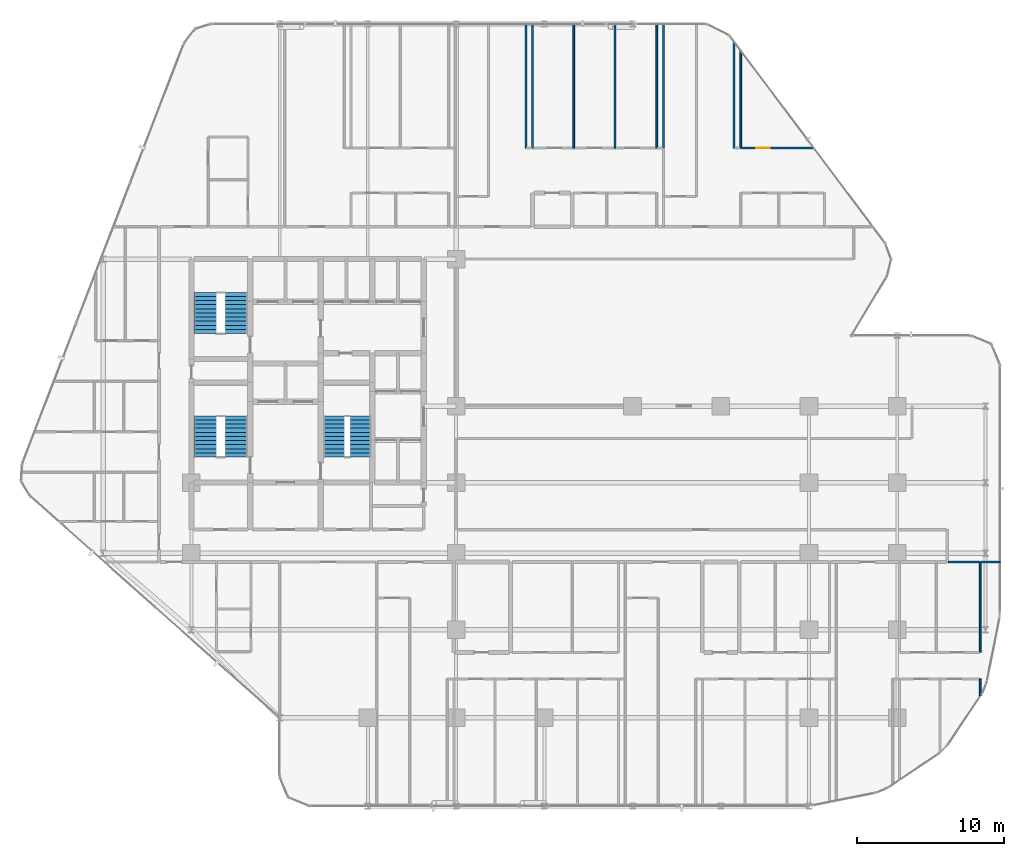
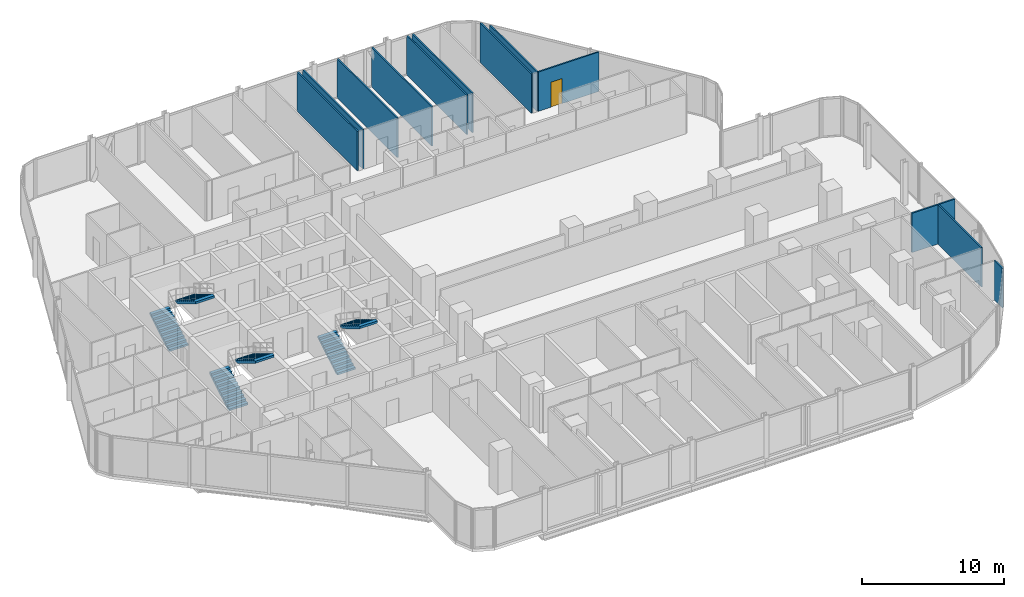
# One storey, part 32 of 34: 13 walls, 6 stair flights, 1 door, 1 opening, 3 elements without a shape of their own.
"""IFC4 building model written with IfcOpenShell, lengths in metres."""

from ifc_helpers import new_model, si_unit, direction, frame, frame_2d, origin, place, context, subcontext, project, spatial, polyline, rectangle, outline, extrude, material, layer, layer_set, type_object, element, fill, aggregate, save


model = new_model("IFC4")

# Units and contexts
model_context = context("Model", 3, precision=1e-05, world=origin(), true_north=direction((0.0, 1.0)))
body_context = subcontext(model_context, "Body", "Model", "MODEL_VIEW")
ifc_project = project(units=[si_unit("LENGTHUNIT", "METRE"), si_unit("AREAUNIT", "SQUARE_METRE"), si_unit("VOLUMEUNIT", "CUBIC_METRE"), si_unit("PLANEANGLEUNIT", "RADIAN"), si_unit("MASSUNIT", "GRAM", prefix="KILO")], contexts=[model_context])

# Site, building, storey
site_placement = place(None, origin())
site = spatial("IfcSite", under=ifc_project, at=site_placement, CompositionType="ELEMENT")
building_placement = place(site_placement, origin())
building = spatial("IfcBuilding", under=site, at=building_placement, Name="Keshet Zoharim Tower", CompositionType="ELEMENT")
storey_placement = place(building_placement, frame((0.0, 0.0, 53.60009765625)))
storey = spatial("IfcBuildingStorey", under=building, at=storey_placement, Name="L12", CompositionType="ELEMENT", Elevation=53.60009765625)

# Walls
ifc_material_1 = material(Name="Gypsum Plasterboard", Category="gypsum")
ifc_layer_1 = layer(ifc_material_1, 0.1201171875)
ifc_layer_set_1 = layer_set([ifc_layer_1], Name="Gypsum Plasterboard")
wall_type_1 = type_object("IfcWallType", Name="WL-PART-120", PredefinedType="PARTITIONING", material=ifc_layer_set_1)
for number, where, z_axis, x_axis, name in (
    (1, (37.75, 45.449951171875, 0.0), (0.0, 0.0, 1.0), (0.0, 1.0, 0.0), "L12 Interior Wall 080"),
    (2, (38.199951171875, 45.449951171875, 0.0), (0.0, 0.0, 1.0), (0.0, 1.0, 0.0), "L12 Interior Wall 082"),
    (3, (41.0, 45.449951171875, 0.0), (0.0, 0.0, 1.0), (0.0, 1.0, 0.0), "L12 Interior Wall 086"),
    (4, (43.800048828125, 45.449951171875, 0.0), (0.0, 0.0, 1.0), (0.0, 1.0, 0.0), "L12 Interior Wall 089"),
    (5, (46.64990234375, 45.449951171875, 0.0), (0.0, 0.0, 1.0), (0.0, 1.0, 0.0), "L12 Interior Wall 096"),
    (6, (47.10009765625, 45.449951171875, 0.0), (0.0, 0.0, 1.0), (0.0, 1.0, 0.0), "L12 Interior Wall 100"),
):
    element("IfcWall", number, at=place(storey_placement, frame(where, z_axis=z_axis, x_axis=x_axis)), inside=storey, type_object=wall_type_1, Name=name, PredefinedType="PARTITIONING", context=body_context, shape_type="SweptSolid", body=[
        extrude(rectangle(XDim=8.43994140625, YDim=0.1201171875, at=frame_2d((4.219970703125, 0.0))), origin(), (0.0, 0.0, 1.0), 3.385009765625),
    ])
wall_1_placement = place(storey_placement, frame((51.89990234375, 45.449951171875, 0.0), z_axis=(0.0, 0.0, 1.0), x_axis=(0.0, 1.0, 0.0)))
element("IfcWall", 7, at=wall_1_placement, inside=storey, type_object=wall_type_1, Name="L12 Interior Wall 105", PredefinedType="PARTITIONING", context=body_context, shape_type="SweptSolid", body=[
    extrude(rectangle(XDim=7.239990234375, YDim=0.1201171875, at=frame_2d((3.6201171875, 0.0))), origin(), (0.0, 0.0, 1.0), 3.385009765625),
])
wall_2_placement = place(storey_placement, frame((52.35009765625, 45.449951171875, 0.0), z_axis=(0.0, 0.0, 1.0), x_axis=(0.0, 1.0, 0.0)))
element("IfcWall", 8, at=wall_2_placement, inside=storey, type_object=wall_type_1, Name="L12 Interior Wall 108", PredefinedType="PARTITIONING", context=body_context, shape_type="SweptSolid", body=[
    extrude(rectangle(XDim=6.64013671875, YDim=0.1201171875, at=frame_2d((3.320068359375, 0.0))), origin(), (0.0, 0.0, 1.0), 3.385009765625),
])
wall_3_placement = place(storey_placement, frame((68.64990234375, 8.196044921875, 0.0), z_axis=(0.0, 0.0, 1.0), x_axis=(0.0, 1.0, 0.0)))
element("IfcWall", 9, at=wall_3_placement, inside=storey, type_object=wall_type_1, Name="L12 Interior Wall 125", PredefinedType="PARTITIONING", context=body_context, shape_type="SweptSolid", body=[
    extrude(rectangle(XDim=1.154052734375, YDim=0.1201171875, at=frame_2d((0.5771484375, 0.0))), origin(), (0.0, 0.0, 1.0), 3.385009765625),
])
wall_4_placement = place(storey_placement, frame((68.676025390625, 17.300048828125, 0.0), z_axis=(0.0, 0.0, 1.0), x_axis=(1.0, 0.0, 0.0)))
element("IfcWall", 10, at=wall_4_placement, inside=storey, type_object=wall_type_1, Name="L12 Interior Wall 164", PredefinedType="PARTITIONING", context=body_context, shape_type="SweptSolid", body=[
    extrude(rectangle(XDim=1.31396484375, YDim=0.1201171875, at=frame_2d((0.656982421875, 0.0))), origin(), (0.0, 0.0, 1.0), 3.385009765625),
])

# Wall, opening, door
wall_5_placement = place(storey_placement, frame((52.385009765625, 45.449951171875, 0.0), z_axis=(0.0, 0.0, 1.0), x_axis=(1.0, 0.0, 0.0)))
wall_5 = element("IfcWall", 11, at=wall_5_placement, inside=storey, type_object=wall_type_1, Name="L12 Interior Wall 239", PredefinedType="PARTITIONING", context=body_context, shape_type="SweptSolid", body=[
    extrude(rectangle(XDim=4.94287109375, YDim=0.1201171875, at=frame_2d((2.471435546875, 0.0))), origin(), (0.0, 0.0, 1.0), 3.385009765625),
])
opening_placement = place(wall_5_placement, frame((1.028076171875, 0.0, 0.0)))
opening = element("IfcOpeningElement", 12, at=opening_placement, cuts=wall_5, Name="Opening D-IN90", PredefinedType="OPENING", context=body_context, shape_type="SweptSolid", body=[
    extrude(rectangle(XDim=0.89990234375, YDim=2.14990234375, at=frame_2d((0.449951171875, 1.074951171875))), frame((0.0, 0.070068359375, 0.0), z_axis=(0.0, -1.0, 0.0), x_axis=(1.0, 0.0, 0.0)), (0.0, 0.0, 1.0), 0.14013671875),
])
ifc_material_2 = material(Name="Hardwood Timber", Category="wood")
door_type = type_object("IfcDoorType", Name="DR-INT-090", OperationType="NOTDEFINED", PredefinedType="DOOR", material=ifc_material_2)
door_placement = place(opening_placement, origin())
door = element("IfcDoor", 13, at=door_placement, inside=storey, type_object=door_type, Name="Apartment 1208 Bedroom 1 Door", OperationType="SINGLE_SWING_RIGHT", OverallHeight=2.14990234375, OverallWidth=0.89990234375, PredefinedType="DOOR", context=body_context, shape_type="SweptSolid", body=[
    extrude(rectangle(XDim=0.89990234375, YDim=2.14990234375, at=frame_2d((0.449951171875, 1.074951171875))), frame((0.0, 0.02490234375, 0.0), z_axis=(0.0, -1.0, 0.0), x_axis=(1.0, 0.0, 0.0)), (0.0, 0.0, 1.0), 0.050048828125),
])
fill(opening, door)

# Walls
ifc_layer_2 = layer(ifc_material_1, 0.1201171875)
ifc_layer_set_2 = layer_set([ifc_layer_2], Name="Gypsum Plasterboard")
wall_type_2 = type_object("IfcWallType", Name="WL-WET-120", PredefinedType="PARTITIONING", material=ifc_layer_set_2)
wall_6_placement = place(storey_placement, frame((68.64990234375, 11.14990234375, 0.0), z_axis=(0.0, 0.0, 1.0), x_axis=(0.0, 1.0, 0.0)))
element("IfcWall", 14, at=wall_6_placement, inside=storey, type_object=wall_type_2, Name="L12 Interior Wall 126", PredefinedType="PARTITIONING", context=body_context, shape_type="SweptSolid", body=[
    extrude(rectangle(XDim=6.150146484375, YDim=0.1201171875, at=frame_2d((3.0751953125, 0.0))), origin(), (0.0, 0.0, 1.0), 3.385009765625),
])
wall_7_placement = place(storey_placement, frame((66.469970703125, 17.300048828125, 0.0), z_axis=(0.0, 0.0, 1.0), x_axis=(1.0, 0.0, 0.0)))
element("IfcWall", 15, at=wall_7_placement, inside=storey, type_object=wall_type_2, Name="L12 Interior Wall 163", PredefinedType="PARTITIONING", context=body_context, shape_type="SweptSolid", body=[
    extrude(rectangle(XDim=2.115966796875, YDim=0.1201171875, at=frame_2d((1.05810546875, 0.0))), origin(), (0.0, 0.0, 1.0), 3.385009765625),
])

# Stair, stair flights
ifc_material_3 = material(Name="Concrete C50/60", Category="concrete")
stair_type = type_object("IfcStairType", Name="STR-EXIT-135", PredefinedType="HALF_TURN_STAIR", material=ifc_material_3)
stair_1_placement = place(storey_placement, origin())
stair_1 = element("IfcStair", 16, at=stair_1_placement, inside=storey, type_object=stair_type, Name="L12 Enclosed Exit Stair ST-01", PredefinedType="HALF_TURN_STAIR")
stair_flight_type_1 = type_object("IfcStairFlightType", Name="FLT-PRE-135", PredefinedType="STRAIGHT", material=ifc_material_3)
stair_flight_1_placement = place(storey_placement, frame((15.945068359375, 24.43994140625, 0.0), z_axis=(0.0, 0.0, 1.0), x_axis=(0.0, 1.0, 0.0)))
stair_flight_1 = element("IfcStairFlight", 17, at=stair_flight_1_placement, type_object=stair_flight_type_1, Name="ST-01 flight 1", NumberOfRisers=11, NumberOfTreads=10, PredefinedType="STRAIGHT", RiserHeight=0.168182, TreadLength=0.28, context=body_context, shape_type="SweptSolid", body=[
    extrude(outline(polyline([(0.0, 0.0), (0.0, 0.168212890625), (0.280029296875, 0.168212890625), (0.280029296875, 0.33642578125), (0.56005859375, 0.33642578125), (0.56005859375, 0.504638671875), (0.840087890625, 0.504638671875), (0.840087890625, 0.672607421875), (1.1201171875, 0.672607421875), (1.1201171875, 0.8408203125), (1.39990234375, 0.8408203125), (1.39990234375, 1.009033203125), (1.679931640625, 1.009033203125), (1.679931640625, 1.17724609375), (1.9599609375, 1.17724609375), (1.9599609375, 1.345458984375), (2.239990234375, 1.345458984375), (2.239990234375, 1.513671875), (2.52001953125, 1.513671875), (2.52001953125, 1.681884765625), (2.800048828125, 1.681884765625), (2.800048828125, 1.85009765625), (2.800048828125, 1.495361328125), (0.310546875, 0.0), (0.0, 0.0)])), frame((0.0, 0.76513671875, 0.0), z_axis=(0.0, -1.0, 0.0), x_axis=(1.0, 0.0, 0.0)), (0.0, 0.0, 1.0), 1.530029296875),
])
stair_flight_2_placement = place(storey_placement, frame((18.054931640625, 27.239990234375, 1.849853515625), z_axis=(0.0, 0.0, 1.0), x_axis=(0.0, -1.0, 0.0)))
stair_flight_2 = element("IfcStairFlight", 18, at=stair_flight_2_placement, type_object=stair_flight_type_1, Name="ST-01 flight 2", NumberOfRisers=11, NumberOfTreads=10, PredefinedType="STRAIGHT", RiserHeight=0.168182, TreadLength=0.28, context=body_context, shape_type="SweptSolid", body=[
    extrude(outline(polyline([(0.0, 0.0), (0.0, 0.168212890625), (0.280029296875, 0.168212890625), (0.280029296875, 0.33642578125), (0.56005859375, 0.33642578125), (0.56005859375, 0.504638671875), (0.840087890625, 0.504638671875), (0.840087890625, 0.672607421875), (1.1201171875, 0.672607421875), (1.1201171875, 0.8408203125), (1.39990234375, 0.8408203125), (1.39990234375, 1.009033203125), (1.679931640625, 1.009033203125), (1.679931640625, 1.17724609375), (1.9599609375, 1.17724609375), (1.9599609375, 1.345458984375), (2.239990234375, 1.345458984375), (2.239990234375, 1.513671875), (2.52001953125, 1.513671875), (2.52001953125, 1.681884765625), (2.800048828125, 1.681884765625), (2.800048828125, 1.85009765625), (2.800048828125, 1.495361328125), (0.310546875, 0.0), (0.0, 0.0)])), frame((0.0, 0.76513671875, 0.0), z_axis=(0.0, -1.0, 0.0), x_axis=(1.0, 0.0, 0.0)), (0.0, 0.0, 1.0), 1.530029296875),
])
aggregate(stair_1, [stair_flight_1, stair_flight_2])

stair_2_placement = place(storey_placement, origin())
stair_2 = element("IfcStair", 19, at=stair_2_placement, inside=storey, type_object=stair_type, Name="L12 Enclosed Exit Stair ST-02", PredefinedType="HALF_TURN_STAIR")
stair_flight_3_placement = place(storey_placement, frame((15.945068359375, 32.840087890625, 0.0), z_axis=(0.0, 0.0, 1.0), x_axis=(0.0, 1.0, 0.0)))
stair_flight_3 = element("IfcStairFlight", 20, at=stair_flight_3_placement, type_object=stair_flight_type_1, Name="ST-02 flight 1", NumberOfRisers=11, NumberOfTreads=10, PredefinedType="STRAIGHT", RiserHeight=0.168182, TreadLength=0.28, context=body_context, shape_type="SweptSolid", body=[
    extrude(outline(polyline([(0.0, 0.0), (0.0, 0.168212890625), (0.280029296875, 0.168212890625), (0.280029296875, 0.33642578125), (0.56005859375, 0.33642578125), (0.56005859375, 0.504638671875), (0.840087890625, 0.504638671875), (0.840087890625, 0.672607421875), (1.1201171875, 0.672607421875), (1.1201171875, 0.8408203125), (1.39990234375, 0.8408203125), (1.39990234375, 1.009033203125), (1.679931640625, 1.009033203125), (1.679931640625, 1.17724609375), (1.9599609375, 1.17724609375), (1.9599609375, 1.345458984375), (2.239990234375, 1.345458984375), (2.239990234375, 1.513671875), (2.52001953125, 1.513671875), (2.52001953125, 1.681884765625), (2.800048828125, 1.681884765625), (2.800048828125, 1.85009765625), (2.800048828125, 1.495361328125), (0.310546875, 0.0), (0.0, 0.0)])), frame((0.0, 0.76513671875, 0.0), z_axis=(0.0, -1.0, 0.0), x_axis=(1.0, 0.0, 0.0)), (0.0, 0.0, 1.0), 1.530029296875),
])
stair_flight_4_placement = place(storey_placement, frame((18.054931640625, 35.639892578125, 1.849853515625), z_axis=(0.0, 0.0, 1.0), x_axis=(0.0, -1.0, 0.0)))
stair_flight_4 = element("IfcStairFlight", 21, at=stair_flight_4_placement, type_object=stair_flight_type_1, Name="ST-02 flight 2", NumberOfRisers=11, NumberOfTreads=10, PredefinedType="STRAIGHT", RiserHeight=0.168182, TreadLength=0.28, context=body_context, shape_type="SweptSolid", body=[
    extrude(outline(polyline([(0.0, 0.0), (0.0, 0.168212890625), (0.280029296875, 0.168212890625), (0.280029296875, 0.33642578125), (0.56005859375, 0.33642578125), (0.56005859375, 0.504638671875), (0.840087890625, 0.504638671875), (0.840087890625, 0.672607421875), (1.1201171875, 0.672607421875), (1.1201171875, 0.8408203125), (1.39990234375, 0.8408203125), (1.39990234375, 1.009033203125), (1.679931640625, 1.009033203125), (1.679931640625, 1.17724609375), (1.9599609375, 1.17724609375), (1.9599609375, 1.345458984375), (2.239990234375, 1.345458984375), (2.239990234375, 1.513671875), (2.52001953125, 1.513671875), (2.52001953125, 1.681884765625), (2.800048828125, 1.681884765625), (2.800048828125, 1.85009765625), (2.800048828125, 1.495361328125), (0.310546875, 0.0), (0.0, 0.0)])), frame((0.0, 0.76513671875, 0.0), z_axis=(0.0, -1.0, 0.0), x_axis=(1.0, 0.0, 0.0)), (0.0, 0.0, 1.0), 1.530029296875),
])
aggregate(stair_2, [stair_flight_3, stair_flight_4])

stair_3_placement = place(storey_placement, origin())
stair_3 = element("IfcStair", 22, at=stair_3_placement, inside=storey, type_object=stair_type, Name="L12 Enclosed Exit Stair ST-03", PredefinedType="HALF_TURN_STAIR")
stair_flight_type_2 = type_object("IfcStairFlightType", Name="FLT-PRE-144", PredefinedType="STRAIGHT", material=ifc_material_3)
stair_flight_5_placement = place(storey_placement, frame((24.699951171875, 24.43994140625, 0.0), z_axis=(0.0, 0.0, 1.0), x_axis=(0.0, 1.0, 0.0)))
stair_flight_5 = element("IfcStairFlight", 23, at=stair_flight_5_placement, type_object=stair_flight_type_2, Name="ST-03 flight 1", NumberOfRisers=11, NumberOfTreads=10, PredefinedType="STRAIGHT", RiserHeight=0.168182, TreadLength=0.28, context=body_context, shape_type="SweptSolid", body=[
    extrude(outline(polyline([(0.0, 0.0), (0.0, 0.168212890625), (0.280029296875, 0.168212890625), (0.280029296875, 0.33642578125), (0.56005859375, 0.33642578125), (0.56005859375, 0.504638671875), (0.840087890625, 0.504638671875), (0.840087890625, 0.672607421875), (1.1201171875, 0.672607421875), (1.1201171875, 0.8408203125), (1.39990234375, 0.8408203125), (1.39990234375, 1.009033203125), (1.679931640625, 1.009033203125), (1.679931640625, 1.17724609375), (1.9599609375, 1.17724609375), (1.9599609375, 1.345458984375), (2.239990234375, 1.345458984375), (2.239990234375, 1.513671875), (2.52001953125, 1.513671875), (2.52001953125, 1.681884765625), (2.800048828125, 1.681884765625), (2.800048828125, 1.85009765625), (2.800048828125, 1.495361328125), (0.310546875, 0.0), (0.0, 0.0)])), frame((0.0, 0.719970703125, 0.0), z_axis=(0.0, -1.0, 0.0), x_axis=(1.0, 0.0, 0.0)), (0.0, 0.0, 1.0), 1.43994140625),
])
stair_flight_6_placement = place(storey_placement, frame((26.5, 27.239990234375, 1.849853515625), z_axis=(0.0, 0.0, 1.0), x_axis=(0.0, -1.0, 0.0)))
stair_flight_6 = element("IfcStairFlight", 24, at=stair_flight_6_placement, type_object=stair_flight_type_2, Name="ST-03 flight 2", NumberOfRisers=11, NumberOfTreads=10, PredefinedType="STRAIGHT", RiserHeight=0.168182, TreadLength=0.28, context=body_context, shape_type="SweptSolid", body=[
    extrude(outline(polyline([(0.0, 0.0), (0.0, 0.168212890625), (0.280029296875, 0.168212890625), (0.280029296875, 0.33642578125), (0.56005859375, 0.33642578125), (0.56005859375, 0.504638671875), (0.840087890625, 0.504638671875), (0.840087890625, 0.672607421875), (1.1201171875, 0.672607421875), (1.1201171875, 0.8408203125), (1.39990234375, 0.8408203125), (1.39990234375, 1.009033203125), (1.679931640625, 1.009033203125), (1.679931640625, 1.17724609375), (1.9599609375, 1.17724609375), (1.9599609375, 1.345458984375), (2.239990234375, 1.345458984375), (2.239990234375, 1.513671875), (2.52001953125, 1.513671875), (2.52001953125, 1.681884765625), (2.800048828125, 1.681884765625), (2.800048828125, 1.85009765625), (2.800048828125, 1.495361328125), (0.310546875, 0.0), (0.0, 0.0)])), frame((0.0, 0.719970703125, 0.0), z_axis=(0.0, -1.0, 0.0), x_axis=(1.0, 0.0, 0.0)), (0.0, 0.0, 1.0), 1.43994140625),
])
aggregate(stair_3, [stair_flight_5, stair_flight_6])

save(model, "model.ifc")
